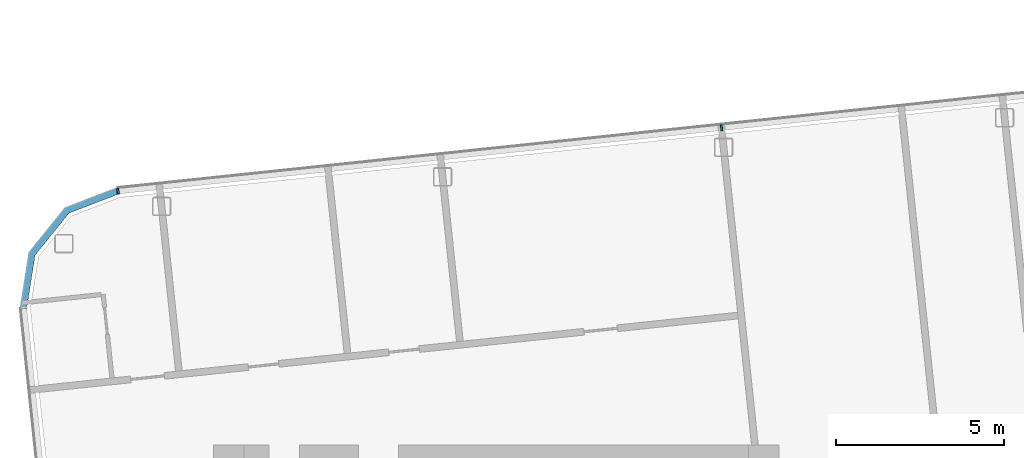
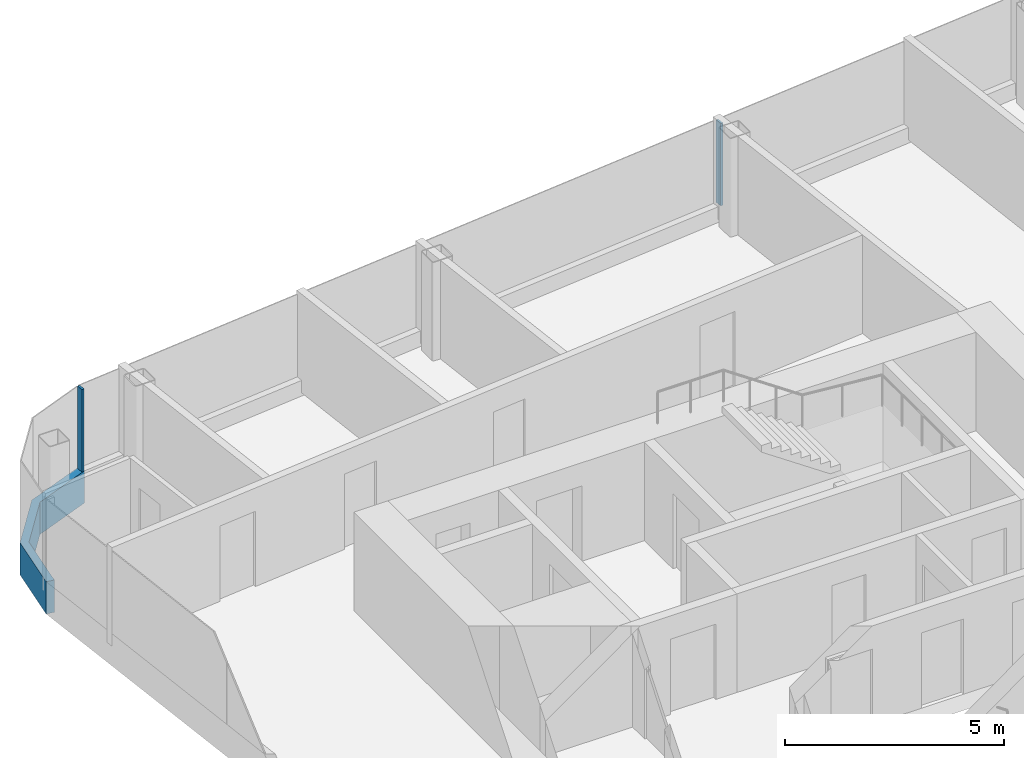
# One storey, part 8 of 27: 3 members, 2 elements without a shape of their own.
"""IFC4 building model written with IfcOpenShell, lengths in metres."""

from ifc_helpers import new_model, si_unit, direction, frame, origin, origin_2d, place, context, subcontext, project, spatial, polyline, rectangle, outline, extrude, material, layer, layer_set, material_profile, profile_set, type_object, element, aggregate, save


model = new_model("IFC4")

# Units and contexts
model_context = context("Model", 3, precision=1e-05, world=origin(), true_north=direction((0.0, 1.0)))
body_context = subcontext(model_context, "Body", "Model", "MODEL_VIEW")
ifc_project = project(units=[si_unit("LENGTHUNIT", "METRE"), si_unit("AREAUNIT", "SQUARE_METRE"), si_unit("VOLUMEUNIT", "CUBIC_METRE"), si_unit("PLANEANGLEUNIT", "RADIAN"), si_unit("MASSUNIT", "GRAM", prefix="KILO")], contexts=[model_context])

# Site, building, storey
site_placement = place(None, origin())
site = spatial("IfcSite", under=ifc_project, at=site_placement, CompositionType="ELEMENT")
building_placement = place(site_placement, origin())
building = spatial("IfcBuilding", under=site, at=building_placement, Name="Hakoniwa Tower and Hamabe Station Hall", CompositionType="ELEMENT")
storey_placement = place(building_placement, frame((0.0, 0.0, 239.0)))
storey = spatial("IfcBuildingStorey", under=building, at=storey_placement, Name="L67", CompositionType="ELEMENT", Elevation=239.0)

# Curtain wall, member
ifc_material_1 = material(Name="Dark low-e laminated glass", Category="glass")
ifc_layer = layer(ifc_material_1, 0.199951171875)
ifc_layer_set = layer_set([ifc_layer], Name="CW-1 UNITISED GUEST")
curtain_wall_type = type_object("IfcCurtainWallType", Name="CW-1 UNITISED GUEST", PredefinedType="NOTDEFINED", material=ifc_layer_set)
curtain_wall_1_placement = place(storey_placement, origin())
curtain_wall_1 = element("IfcCurtainWall", 1, at=curtain_wall_1_placement, inside=storey, type_object=curtain_wall_type, Name="CW-1 curtain wall", PredefinedType="NOTDEFINED")
ifc_material_2 = material(Name="Aluminium 6063-T5 black anodised", Category="aluminium")
ifc_material_profile_1 = material_profile(ifc_material_2, rectangle(XDim=0.199951171875, YDim=0.89990234375, at=origin_2d()), Name="CW SLAB-EDGE BAND 900X200")
ifc_profile_set_1 = profile_set([ifc_material_profile_1], Name="Aluminium 6063-T5 black anodised")
member_type_1 = type_object("IfcMemberType", Name="CW SLAB-EDGE BAND 900X200", PredefinedType="USERDEFINED", material=ifc_profile_set_1)
member_1_placement = place(storey_placement, frame((0.0, 0.0, -0.550048828125)))
member_1 = element("IfcMember", 2, at=member_1_placement, type_object=member_type_1, Name="CW-1 transom", ObjectType="TRANSOM", PredefinedType="USERDEFINED", context=body_context, shape_type="SweptSolid", body=[
    extrude(outline(polyline([(-36.45703125, 16.0634765625), (-38.0185546875, 15.464111328125), (-39.09716796875, 14.13232421875), (-39.35888671875, 12.47998046875), (-39.161376953125, 12.44873046875), (-38.907958984375, 14.048095703125), (-37.89697265625, 15.296630859375), (-36.38525390625, 15.876708984375), (-36.45703125, 16.0634765625)])), origin(), (0.0, 0.0, 1.0), 0.900146484375),
])
aggregate(curtain_wall_1, [member_1])

# Curtain wall, members
curtain_wall_2_placement = place(storey_placement, origin())
curtain_wall_2 = element("IfcCurtainWall", 3, at=curtain_wall_2_placement, inside=storey, type_object=curtain_wall_type, Name="CW-1 curtain wall", PredefinedType="NOTDEFINED")
ifc_material_3 = material(Name="Aluminium 6063-T5 black anodised", Category="aluminium")
ifc_material_profile_2 = material_profile(ifc_material_3, rectangle(XDim=0.06005859375, YDim=0.179931640625, at=origin_2d()), Name="CW-1 MULLION 60X180")
ifc_profile_set_2 = profile_set([ifc_material_profile_2], Name="Aluminium 6063-T5 black anodised")
member_type_2 = type_object("IfcMemberType", Name="CW-1 MULLION 60X180", PredefinedType="MULLION", material=ifc_profile_set_2)
member_2_placement = place(storey_placement, frame((-18.50390625, 17.831787109375, 0.35009765625), z_axis=(0.0, 0.0, 1.0), x_axis=(-0.994521895272, -0.104528464188, 0.0)))
member_2 = element("IfcMember", 4, at=member_2_placement, type_object=member_type_2, Name="CW-1 mullion", PredefinedType="MULLION", context=body_context, shape_type="SweptSolid", body=[
    extrude(rectangle(XDim=0.06005859375, YDim=0.179931640625, at=origin_2d()), origin(), (0.0, 0.0, 1.0), 2.2998046875),
])
member_3_placement = place(storey_placement, frame((-36.444580078125, 15.946044921875, 0.35009765625), z_axis=(0.0, 0.0, 1.0), x_axis=(-0.994521895272, -0.104528464188, 0.0)))
member_3 = element("IfcMember", 5, at=member_3_placement, type_object=member_type_2, Name="CW-1 mullion", PredefinedType="MULLION", context=body_context, shape_type="SweptSolid", body=[
    extrude(rectangle(XDim=0.06005859375, YDim=0.179931640625, at=origin_2d()), origin(), (0.0, 0.0, 1.0), 2.2998046875),
])
aggregate(curtain_wall_2, [member_2, member_3])

save(model, "model.ifc")
